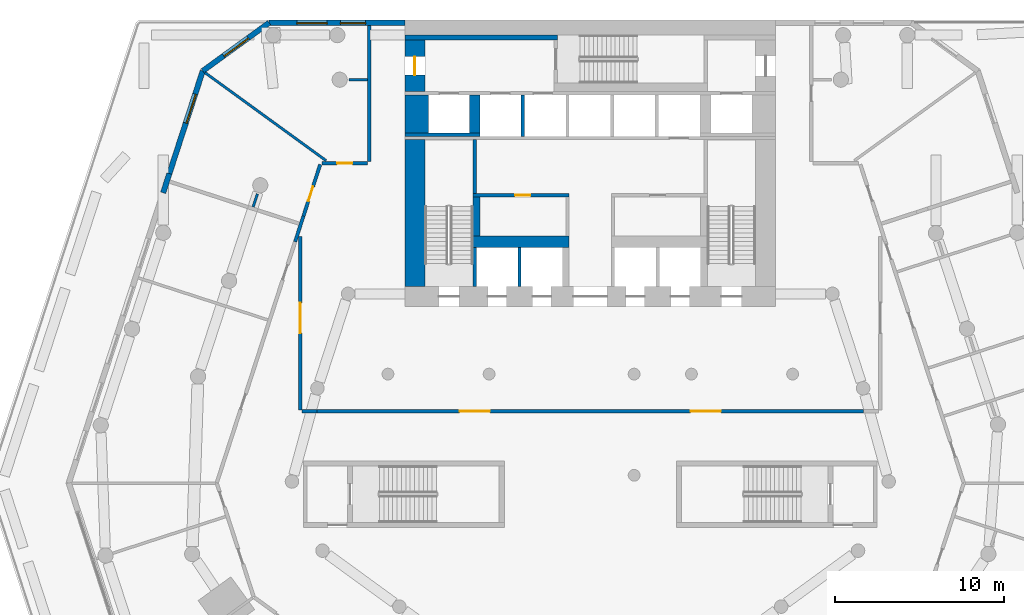
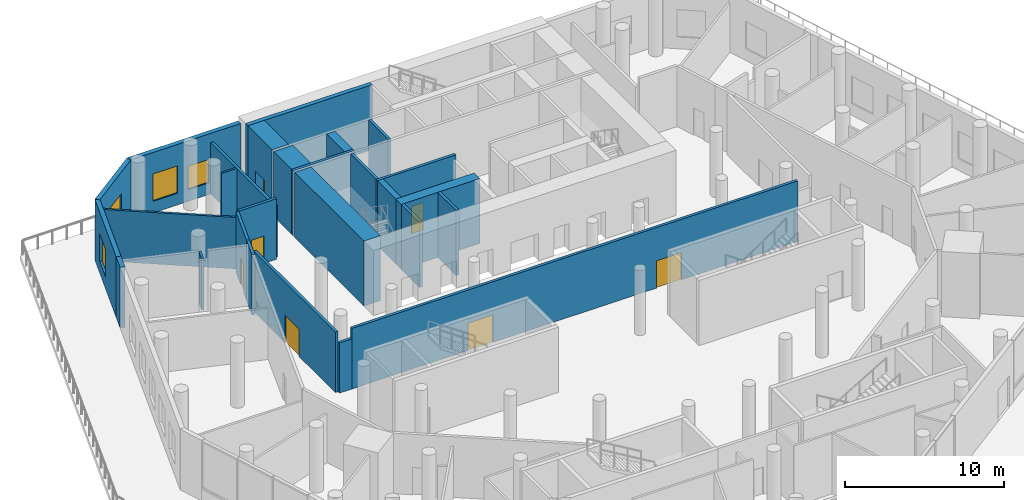
# One storey, part 11 of 19: 27 walls, 7 doors, 4 windows, 11 openings.
"""IFC4 building model written with IfcOpenShell, lengths in metres."""

import ifcopenshell
import ifcopenshell.guid

model = None  # the IFC model being written
_history = None  # IfcOwnerHistory: only IFC2X3 demands one
_inside = {}  # id of a spatial element -> (the spatial element, [elements in it])
_under = {}  # id of a project, library or spatial element -> (it, [spatial elements below it])
_declared = {}  # id of a project -> (the project, [libraries it declares])
_typed = {}  # id of a type object -> (the type object, [elements of that type])
_made_of = {}  # id of a material, layer set ... -> (it, [elements and type objects made of it])


def new_model(schema):
    """Start an empty IFC model of exactly this schema.

    Asked for "IFC4X3", IfcOpenShell would pick the latest addendum, in which some entities
    have other attributes; the version numbers below select the first issue.
    IFC2X3 requires an IfcOwnerHistory on every rooted entity: one is made here for all.
    """
    global model, _history
    if schema == "IFC4X3":
        model = ifcopenshell.file(schema_version=(4, 3, 0, 0))
    else:
        model = ifcopenshell.file(schema=schema)
    _inside.clear()
    _under.clear()
    _declared.clear()
    _typed.clear()
    _made_of.clear()
    _history = None
    if model.schema == "IFC2X3":
        org = make("IfcOrganization", Name="unknown")
        user = make(
            "IfcPersonAndOrganization",
            ThePerson=make("IfcPerson", FamilyName="unknown"),
            TheOrganization=org,
        )
        app = make(
            "IfcApplication",
            ApplicationDeveloper=org,
            Version="unknown",
            ApplicationFullName="unknown",
            ApplicationIdentifier="unknown",
        )
        _history = make(
            "IfcOwnerHistory",
            OwningUser=user,
            OwningApplication=app,
            ChangeAction="ADDED",
            CreationDate=0,
        )
    return model


def make(cls, **values):
    """One entity of the class cls with the attributes given. An attribute that is None is left unset."""
    return model.create_entity(
        cls, **{name: value for name, value in values.items() if value is not None}
    )


def rooted(cls, **values):
    """An entity with a GlobalId (a new one), such as an element, a storey or a relation."""
    return make(cls, GlobalId=ifcopenshell.guid.new(), OwnerHistory=_history, **values)


def si_unit(unit_type, name, prefix=None):
    """IfcSIUnit, for example si_unit("LENGTHUNIT", "METRE", prefix="MILLI")."""
    return make("IfcSIUnit", UnitType=unit_type, Prefix=prefix, Name=name)


def assignment(units):
    """IfcUnitAssignment: the units of a project."""
    return None if units is None else make("IfcUnitAssignment", Units=units)


def point(xyz):
    """IfcCartesianPoint."""
    return None if xyz is None else make("IfcCartesianPoint", Coordinates=xyz)


def direction(xyz):
    """IfcDirection."""
    return None if xyz is None else make("IfcDirection", DirectionRatios=xyz)


def frame(location, z_axis=None, x_axis=None):
    """IfcAxis2Placement3D, a coordinate frame: its origin and axes. An axis left out is left unset."""
    return make(
        "IfcAxis2Placement3D",
        Location=point(location),
        Axis=direction(z_axis),
        RefDirection=direction(x_axis),
    )


def frame_2d(location, x_axis=None):
    """IfcAxis2Placement2D, a coordinate frame in the plane: its origin and x axis."""
    return make(
        "IfcAxis2Placement2D", Location=point(location), RefDirection=direction(x_axis)
    )


def origin():
    """The frame at (0, 0, 0) with its axes left unset."""
    return frame((0.0, 0.0, 0.0))


def place(relative_to, where):
    """IfcLocalPlacement: puts the frame where relative to a parent placement (None: the world)."""
    return make(
        "IfcLocalPlacement", PlacementRelTo=relative_to, RelativePlacement=where
    )


def context(
    kind, dimensions, precision=None, world=None, true_north=None, identifier=None
):
    """IfcGeometricRepresentationContext, for example the 3D "Model" context."""
    return make(
        "IfcGeometricRepresentationContext",
        ContextIdentifier=identifier,
        ContextType=kind,
        CoordinateSpaceDimension=dimensions,
        Precision=precision,
        WorldCoordinateSystem=world,
        TrueNorth=true_north,
    )


def subcontext(parent, identifier, kind, view, scale=None):
    """IfcGeometricRepresentationSubContext, for example "Body" below "Model"."""
    return make(
        "IfcGeometricRepresentationSubContext",
        ContextIdentifier=identifier,
        ContextType=kind,
        ParentContext=parent,
        TargetScale=scale,
        TargetView=view,
    )


def project(units=None, contexts=None):
    """IfcProject with its units and contexts."""
    return rooted(
        "IfcProject",
        Name="project",
        RepresentationContexts=contexts,
        UnitsInContext=assignment(units),
    )


def spatial(cls, under=None, at=None, **own):
    """A site, building, storey or space (cls), placed at a placement, below another one or the project."""
    s = rooted(cls, ObjectPlacement=at, **own)
    if under is not None:
        _under.setdefault(under.id(), (under, []))[1].append(s)
    return s


def profile(cls, at=None, kind="AREA", **sizes):
    """A parametric profile (cls). Its sizes go by their IFC names, for example OverallWidth=200.0."""
    return make(cls, ProfileType=kind, Position=at, **sizes)


def rectangle(**sizes):
    """IfcRectangleProfileDef."""
    return profile("IfcRectangleProfileDef", **sizes)


def extrude(swept, where, along, depth):
    """IfcExtrudedAreaSolid: the profile swept, set in the frame where, extruded along a direction by depth."""
    return make(
        "IfcExtrudedAreaSolid",
        SweptArea=swept,
        Position=where,
        ExtrudedDirection=direction(along),
        Depth=depth,
    )


def shape(context_of_items, identifier, shape_type, items):
    """IfcShapeRepresentation: the items that make up one representation, for example the "Body"."""
    return make(
        "IfcShapeRepresentation",
        ContextOfItems=context_of_items,
        RepresentationIdentifier=identifier,
        RepresentationType=shape_type,
        Items=items,
    )


def material(Name=None, Category=None):
    """IfcMaterial."""
    return make("IfcMaterial", Name=Name, Category=Category)


def layer(
    of_material, thickness, ventilated=None, Name=None, Category=None, Priority=None
):
    """IfcMaterialLayer: one layer of a wall or slab, of a material (None: an air gap)."""
    return make(
        "IfcMaterialLayer",
        Material=of_material,
        LayerThickness=thickness,
        IsVentilated=ventilated,
        Name=Name,
        Category=Category,
        Priority=Priority,
    )


def layer_set(layers, Name=None):
    """IfcMaterialLayerSet."""
    return make("IfcMaterialLayerSet", MaterialLayers=layers, LayerSetName=Name)


def made_of(thing, what):
    """Note that an element or type object is made of a material, layer set ...; save() writes the relation."""
    if what is not None:
        _made_of.setdefault(what.id(), (what, []))[1].append(thing)
    return thing


def type_object(cls, material=None, **own):
    """A type object (cls), such as IfcWallType, which elements share."""
    return made_of(rooted(cls, **own), material)


def element(
    cls,
    number,
    at=None,
    inside=None,
    cuts=None,
    type_object=None,
    material=None,
    context=None,
    identifier="Body",
    shape_type=None,
    held_by="IfcProductDefinitionShape",
    body=None,
    shapes=None,
    **own,
):
    """One element of the class cls, such as IfcWall. Its Tag is "e" and its number.

    at: its placement. inside: the storey or other place that contains it. cuts: it is an
    opening in that element (IfcRelVoidsElement). A single representation is given by context,
    identifier, shape_type and body (its items); several are given by shapes. held_by: the class
    of the entity that holds the representations. save() writes the other relations.
    """
    e = rooted(cls, Tag="e%d" % number, ObjectPlacement=at, **own)
    if body is not None:
        shapes = [shape(context, identifier, shape_type, body)]
    if shapes is not None:
        e.Representation = make(held_by, Representations=shapes)
    if inside is not None:
        _inside.setdefault(inside.id(), (inside, []))[1].append(e)
    if cuts is not None:
        rooted(
            "IfcRelVoidsElement", RelatingBuildingElement=cuts, RelatedOpeningElement=e
        )
    if type_object is not None:
        _typed.setdefault(type_object.id(), (type_object, []))[1].append(e)
    return made_of(e, material)


def fill(opening, filler):
    """IfcRelFillsElement: the door or window that sits in an opening."""
    return rooted(
        "IfcRelFillsElement",
        RelatingOpeningElement=opening,
        RelatedBuildingElement=filler,
    )


def aggregate(whole, parts):
    """IfcRelAggregates: a whole, such as a stair, and the parts it consists of."""
    return rooted("IfcRelAggregates", RelatingObject=whole, RelatedObjects=parts)


def save(model, path):
    """Write the relations noted so far, then the file.

    IfcRelAggregates (storeys below a building ...), IfcRelContainedInSpatialStructure (elements
    in a storey), IfcRelDefinesByType, IfcRelAssociatesMaterial and IfcRelDeclares: one each for
    every whole, place, type object, material and project.
    """
    for whole, parts in _under.values():
        aggregate(whole, parts)
    for where, things in _inside.values():
        rooted(
            "IfcRelContainedInSpatialStructure",
            RelatedElements=things,
            RelatingStructure=where,
        )
    for kind, things in _typed.values():
        rooted("IfcRelDefinesByType", RelatedObjects=things, RelatingType=kind)
    for what, things in _made_of.values():
        rooted("IfcRelAssociatesMaterial", RelatedObjects=things, RelatingMaterial=what)
    for by, libraries in _declared.values():
        rooted("IfcRelDeclares", RelatingContext=by, RelatedDefinitions=libraries)
    model.write(path)


model = new_model("IFC4")

# Units and contexts
model_context = context("Model", 3, precision=1e-05, world=origin(), true_north=direction((0.0, 1.0)))
body_context = subcontext(model_context, "Body", "Model", "MODEL_VIEW")
ifc_project = project(units=[si_unit("LENGTHUNIT", "METRE"), si_unit("AREAUNIT", "SQUARE_METRE"), si_unit("VOLUMEUNIT", "CUBIC_METRE"), si_unit("PLANEANGLEUNIT", "RADIAN"), si_unit("MASSUNIT", "GRAM", prefix="KILO")], contexts=[model_context])

# Site, building, storey
site_placement = place(None, origin())
site = spatial("IfcSite", under=ifc_project, at=site_placement, CompositionType="ELEMENT")
building_placement = place(site_placement, origin())
building = spatial("IfcBuilding", under=site, at=building_placement, Name="White Candle Pilgrim Tower", CompositionType="ELEMENT")
storey_placement = place(building_placement, frame((0.0, 0.0, 29.0)))
storey = spatial("IfcBuildingStorey", under=building, at=storey_placement, Name="L04", CompositionType="ELEMENT", Elevation=29.0)

# Wall
ifc_material_1 = material(Name="Autoclaved aerated block D500, plastered")
ifc_layer_1 = layer(ifc_material_1, 0.199951171875)
ifc_layer_set_1 = layer_set([ifc_layer_1], Name="Compartment wall 200 mm REI 240")
wall_type_1 = type_object("IfcWallType", Name="Compartment wall 200 mm REI 240", PredefinedType="PARTITIONING", material=ifc_layer_set_1)
wall_1_placement = place(storey_placement, frame((52.49560546875, 74.84814453125, 0.0), z_axis=(0.0, 0.0, 1.0), x_axis=(0.308958737343, 0.95107544318, 0.0)))
element("IfcWall", 1, at=wall_1_placement, inside=storey, type_object=wall_type_1, Name="WL-L04-P054", PredefinedType="PARTITIONING", context=body_context, shape_type="SweptSolid", body=[
    extrude(rectangle(XDim=1.60400390625, YDim=0.199951171875, at=frame_2d((0.802001953125, 0.0))), origin(), (0.0, 0.0, 1.0), 4.64990234375),
])

# Wall, openings, doors
wall_2_placement = place(storey_placement, frame((86.199951171875, 64.800048828125, 0.0), z_axis=(0.0, 0.0, 1.0), x_axis=(-1.0, 0.0, 0.0)))
wall_2 = element("IfcWall", 2, at=wall_2_placement, inside=storey, type_object=wall_type_1, Name="WL-L04-P033a", PredefinedType="PARTITIONING", context=body_context, shape_type="SweptSolid", body=[
    extrude(rectangle(XDim=32.39990234375, YDim=0.199951171875, at=frame_2d((16.199951171875, 0.0))), origin(), (0.0, 0.0, 1.0), 4.64990234375),
])
opening_1_placement = place(wall_2_placement, frame((8.449951171875, 0.0, 0.0)))
opening_1 = element("IfcOpeningElement", 3, at=opening_1_placement, cuts=wall_2, Name="Opening L04-118", PredefinedType="OPENING", context=body_context, shape_type="SweptSolid", body=[
    extrude(rectangle(XDim=1.800048828125, YDim=2.10009765625, at=frame_2d((0.89990234375, 1.050048828125))), frame((0.0, 0.10986328125, 0.0), z_axis=(0.0, -1.0, 0.0), x_axis=(1.0, 0.0, 0.0)), (0.0, 0.0, 1.0), 0.219970703125),
])
opening_2_placement = place(wall_2_placement, frame((22.14990234375, 0.0, 0.0)))
opening_2 = element("IfcOpeningElement", 4, at=opening_2_placement, cuts=wall_2, Name="Opening L04-119", PredefinedType="OPENING", context=body_context, shape_type="SweptSolid", body=[
    extrude(rectangle(XDim=1.800048828125, YDim=2.10009765625, at=frame_2d((0.89990234375, 1.050048828125))), frame((0.0, 0.10986328125, 0.0), z_axis=(0.0, -1.0, 0.0), x_axis=(1.0, 0.0, 0.0)), (0.0, 0.0, 1.0), 0.219970703125),
])
ifc_material_2 = material(Name="Steel door leaf", Category="steel")
door_type_1 = type_object("IfcDoorType", Name="Compartment door 1800 x 2100 EI 60", OperationType="NOTDEFINED", PredefinedType="DOOR", material=ifc_material_2)
door_1_placement = place(opening_1_placement, origin())
door_1 = element("IfcDoor", 5, at=door_1_placement, inside=storey, type_object=door_type_1, Name="Door L04-118", OperationType="DOUBLE_DOOR_SINGLE_SWING", OverallHeight=2.10009765625, OverallWidth=1.800048828125, PredefinedType="DOOR", context=body_context, shape_type="SweptSolid", body=[
    extrude(rectangle(XDim=1.800048828125, YDim=2.10009765625, at=frame_2d((0.89990234375, 1.050048828125))), frame((0.0, 0.02490234375, 0.0), z_axis=(0.0, -1.0, 0.0), x_axis=(1.0, 0.0, 0.0)), (0.0, 0.0, 1.0), 0.050048828125),
])
fill(opening_1, door_1)
door_2_placement = place(opening_2_placement, origin())
door_2 = element("IfcDoor", 6, at=door_2_placement, inside=storey, type_object=door_type_1, Name="Door L04-119", OperationType="DOUBLE_DOOR_SINGLE_SWING", OverallHeight=2.10009765625, OverallWidth=1.800048828125, PredefinedType="DOOR", context=body_context, shape_type="SweptSolid", body=[
    extrude(rectangle(XDim=1.800048828125, YDim=2.10009765625, at=frame_2d((0.89990234375, 1.050048828125))), frame((0.0, 0.02490234375, 0.0), z_axis=(0.0, -1.0, 0.0), x_axis=(1.0, 0.0, 0.0)), (0.0, 0.0, 1.0), 0.050048828125),
])
fill(opening_2, door_2)

# Wall
wall_3_placement = place(storey_placement, frame((53.800048828125, 64.800048828125, 0.0), z_axis=(0.0, 0.0, 1.0), x_axis=(-1.0, 0.0, 0.0)))
element("IfcWall", 7, at=wall_3_placement, inside=storey, type_object=wall_type_1, Name="WL-L04-P033b", PredefinedType="PARTITIONING", context=body_context, shape_type="SweptSolid", body=[
    extrude(rectangle(XDim=0.900146484375, YDim=0.199951171875, at=frame_2d((0.4501953125, 0.0))), origin(), (0.0, 0.0, 1.0), 3.85009765625),
])

# Wall, opening, door
wall_4_placement = place(storey_placement, frame((52.800048828125, 64.875, 0.0), z_axis=(0.0, 0.0, 1.0), x_axis=(0.0, 1.0, 0.0)))
wall_4 = element("IfcWall", 8, at=wall_4_placement, inside=storey, type_object=wall_type_1, Name="WL-L04-P034", PredefinedType="PARTITIONING", context=body_context, shape_type="SweptSolid", body=[
    extrude(rectangle(XDim=10.2802734375, YDim=0.199951171875, at=frame_2d((5.14013671875, 0.0))), origin(), (0.0, 0.0, 1.0), 4.64990234375),
])
opening_3_placement = place(wall_4_placement, frame((4.55517578125, 0.0, 0.0)))
opening_3 = element("IfcOpeningElement", 9, at=opening_3_placement, cuts=wall_4, Name="Opening L04-120", PredefinedType="OPENING", context=body_context, shape_type="SweptSolid", body=[
    extrude(rectangle(XDim=1.800048828125, YDim=2.10009765625, at=frame_2d((0.89990234375, 1.050048828125))), frame((0.0, 0.10986328125, 0.0), z_axis=(0.0, -1.0, 0.0), x_axis=(1.0, 0.0, 0.0)), (0.0, 0.0, 1.0), 0.219970703125),
])
door_3_placement = place(opening_3_placement, origin())
door_3 = element("IfcDoor", 10, at=door_3_placement, inside=storey, type_object=door_type_1, Name="Door L04-120", OperationType="DOUBLE_DOOR_SINGLE_SWING", OverallHeight=2.10009765625, OverallWidth=1.800048828125, PredefinedType="DOOR", context=body_context, shape_type="SweptSolid", body=[
    extrude(rectangle(XDim=1.800048828125, YDim=2.10009765625, at=frame_2d((0.89990234375, 1.050048828125))), frame((0.0, 0.02490234375, 0.0), z_axis=(0.0, -1.0, 0.0), x_axis=(1.0, 0.0, 0.0)), (0.0, 0.0, 1.0), 0.050048828125),
])
fill(opening_3, door_3)

ifc_material_3 = material(Name="Concrete C70/85", Category="concrete")
ifc_layer_2 = layer(ifc_material_3, 1.199951171875)
ifc_layer_set_2 = layer_set([ifc_layer_2], Name="Core wall 1200 mm Concrete C70/85")
wall_type_2 = type_object("IfcWallType", Name="Core wall 1200 mm Concrete C70/85", PredefinedType="SHEAR", material=ifc_layer_set_2)
wall_5_placement = place(storey_placement, frame((59.60009765625, 83.75, 0.0), z_axis=(0.0, 0.0, 1.0), x_axis=(0.0, 1.0, 0.0)))
wall_5 = element("IfcWall", 11, at=wall_5_placement, inside=storey, type_object=wall_type_2, Name="WL-L04-C52", PredefinedType="SHEAR", context=body_context, shape_type="SweptSolid", body=[
    extrude(rectangle(XDim=3.050048828125, YDim=1.199951171875, at=frame_2d((1.52490234375, 0.0))), origin(), (0.0, 0.0, 1.0), 5.0),
])
opening_4_placement = place(wall_5_placement, frame((0.97509765625, 0.0, 0.0)))
opening_4 = element("IfcOpeningElement", 12, at=opening_4_placement, cuts=wall_5, Name="Opening L04-005", PredefinedType="OPENING", context=body_context, shape_type="SweptSolid", body=[
    extrude(rectangle(XDim=1.10009765625, YDim=2.10009765625, at=frame_2d((0.550048828125, 1.050048828125))), frame((0.0, 0.60986328125, 0.0), z_axis=(0.0, -1.0, 0.0), x_axis=(1.0, 0.0, 0.0)), (0.0, 0.0, 1.0), 1.219970703125),
])
door_type_2 = type_object("IfcDoorType", Name="Fire door 1100 x 2100 EI 60", OperationType="NOTDEFINED", PredefinedType="DOOR", material=ifc_material_2)
door_4_placement = place(opening_4_placement, origin())
door_4 = element("IfcDoor", 13, at=door_4_placement, inside=storey, type_object=door_type_2, Name="Door L04-005", OperationType="SINGLE_SWING_LEFT", OverallHeight=2.10009765625, OverallWidth=1.10009765625, PredefinedType="DOOR", context=body_context, shape_type="SweptSolid", body=[
    extrude(rectangle(XDim=1.10009765625, YDim=2.10009765625, at=frame_2d((0.550048828125, 1.050048828125))), frame((0.0, 0.02490234375, 0.0), z_axis=(0.0, -1.0, 0.0), x_axis=(1.0, 0.0, 0.0)), (0.0, 0.0, 1.0), 0.050048828125),
])
fill(opening_4, door_4)

# Walls
ifc_layer_3 = layer(ifc_material_3, 1.39990234375)
ifc_layer_set_3 = layer_set([ifc_layer_3], Name="Core wall 1400 mm Concrete C70/85")
wall_type_3 = type_object("IfcWallType", Name="Core wall 1400 mm Concrete C70/85", PredefinedType="SHEAR", material=ifc_layer_set_3)
wall_6_placement = place(storey_placement, frame((59.699951171875, 81.300048828125, 0.0), z_axis=(0.0, 0.0, 1.0), x_axis=(0.0, 1.0, 0.0)))
element("IfcWall", 14, at=wall_6_placement, inside=storey, type_object=wall_type_3, Name="WL-L04-C47", PredefinedType="SHEAR", context=body_context, shape_type="SweptSolid", body=[
    extrude(rectangle(XDim=2.25, YDim=1.39990234375, at=frame_2d((1.125, 0.0))), origin(), (0.0, 0.0, 1.0), 5.0),
])
ifc_layer_4 = layer(ifc_material_3, 0.199951171875)
ifc_layer_set_4 = layer_set([ifc_layer_4], Name="Core wall 200 mm Concrete C70/85")
wall_type_4 = type_object("IfcWallType", Name="Core wall 200 mm Concrete C70/85", PredefinedType="SHEAR", material=ifc_layer_set_4)
wall_7_placement = place(storey_placement, frame((59.0, 81.199951171875, 0.0), z_axis=(0.0, 0.0, 1.0), x_axis=(1.0, 0.0, 0.0)))
element("IfcWall", 15, at=wall_7_placement, inside=storey, type_object=wall_type_4, Name="WL-L04-C41", PredefinedType="SHEAR", context=body_context, shape_type="SweptSolid", body=[
    extrude(rectangle(XDim=4.449951171875, YDim=0.199951171875, at=frame_2d((2.22509765625, 0.0))), origin(), (0.0, 0.0, 1.0), 5.0),
])

# Wall, opening, door
ifc_material_4 = material(Name="Gypsum board on steel studs", Category="steel")
ifc_layer_5 = layer(ifc_material_4, 0.199951171875)
ifc_layer_set_5 = layer_set([ifc_layer_5], Name="Corridor wall 200 mm EI 45")
wall_type_5 = type_object("IfcWallType", Name="Corridor wall 200 mm EI 45", PredefinedType="PARTITIONING", material=ifc_layer_set_5)
wall_8_placement = place(storey_placement, frame((52.9912109375, 76.373779296875, 0.0), z_axis=(0.0, 0.0, 1.0), x_axis=(0.309041420656, 0.951048579369, 0.0)))
wall_8 = element("IfcWall", 16, at=wall_8_placement, inside=storey, type_object=wall_type_5, Name="WL-L04-P055", PredefinedType="PARTITIONING", context=body_context, shape_type="SweptSolid", body=[
    extrude(rectangle(XDim=3.214599609375, YDim=0.199951171875, at=frame_2d((1.607421875, 0.0))), origin(), (0.0, 0.0, 1.0), 4.64990234375),
])
opening_5_placement = place(wall_8_placement, frame((0.9375, 0.0, 0.0)))
opening_5 = element("IfcOpeningElement", 17, at=opening_5_placement, cuts=wall_8, Name="Opening L04-101", PredefinedType="OPENING", context=body_context, shape_type="SweptSolid", body=[
    extrude(rectangle(XDim=0.89990234375, YDim=2.10009765625, at=frame_2d((0.449951171875, 1.050048828125))), frame((0.0, 0.10986328125, 0.0), z_axis=(0.0, -1.0, 0.0), x_axis=(1.0, 0.0, 0.0)), (0.0, 0.0, 1.0), 0.219970703125),
])
door_type_3 = type_object("IfcDoorType", Name="Fire door 900 x 2100 EI 30", OperationType="NOTDEFINED", PredefinedType="DOOR", material=ifc_material_2)
door_5_placement = place(opening_5_placement, origin())
door_5 = element("IfcDoor", 18, at=door_5_placement, inside=storey, type_object=door_type_3, Name="Door L04-101", OperationType="SINGLE_SWING_LEFT", OverallHeight=2.10009765625, OverallWidth=0.89990234375, PredefinedType="DOOR", context=body_context, shape_type="SweptSolid", body=[
    extrude(rectangle(XDim=0.89990234375, YDim=2.10009765625, at=frame_2d((0.449951171875, 1.050048828125))), frame((0.0, 0.02490234375, 0.0), z_axis=(0.0, -1.0, 0.0), x_axis=(1.0, 0.0, 0.0)), (0.0, 0.0, 1.0), 0.050048828125),
])
fill(opening_5, door_5)

wall_9_placement = place(storey_placement, frame((54.07958984375, 79.5, 0.0), z_axis=(0.0, 0.0, 1.0), x_axis=(1.0, 0.0, 0.0)))
wall_9 = element("IfcWall", 19, at=wall_9_placement, inside=storey, type_object=wall_type_5, Name="WL-L04-P004", PredefinedType="PARTITIONING", context=body_context, shape_type="SweptSolid", body=[
    extrude(rectangle(XDim=2.720458984375, YDim=0.199951171875, at=frame_2d((1.3603515625, 0.0))), origin(), (0.0, 0.0, 1.0), 4.64990234375),
])
opening_6_placement = place(wall_9_placement, frame((0.91015625, 0.0, 0.0)))
opening_6 = element("IfcOpeningElement", 20, at=opening_6_placement, cuts=wall_9, Name="Opening L04-122", PredefinedType="OPENING", context=body_context, shape_type="SweptSolid", body=[
    extrude(rectangle(XDim=0.89990234375, YDim=2.10009765625, at=frame_2d((0.449951171875, 1.050048828125))), frame((0.0, 0.10986328125, 0.0), z_axis=(0.0, -1.0, 0.0), x_axis=(1.0, 0.0, 0.0)), (0.0, 0.0, 1.0), 0.219970703125),
])
door_6_placement = place(opening_6_placement, origin())
door_6 = element("IfcDoor", 21, at=door_6_placement, inside=storey, type_object=door_type_3, Name="Door L04-122", OperationType="SINGLE_SWING_RIGHT", OverallHeight=2.10009765625, OverallWidth=0.89990234375, PredefinedType="DOOR", context=body_context, shape_type="SweptSolid", body=[
    extrude(rectangle(XDim=0.89990234375, YDim=2.10009765625, at=frame_2d((0.449951171875, 1.050048828125))), frame((0.0, 0.02490234375, 0.0), z_axis=(0.0, -1.0, 0.0), x_axis=(1.0, 0.0, 0.0)), (0.0, 0.0, 1.0), 0.050048828125),
])
fill(opening_6, door_6)

# Wall
wall_10_placement = place(storey_placement, frame((56.89990234375, 79.60009765625, 0.0), z_axis=(0.0, 0.0, 1.0), x_axis=(0.0, 1.0, 0.0)))
element("IfcWall", 22, at=wall_10_placement, inside=storey, type_object=wall_type_5, Name="WL-L04-P005", PredefinedType="PARTITIONING", context=body_context, shape_type="SweptSolid", body=[
    extrude(rectangle(XDim=8.079833984375, YDim=0.199951171875, at=frame_2d((4.0400390625, 0.0))), origin(), (0.0, 0.0, 1.0), 3.949951171875),
])

# Wall, openings, windows
ifc_material_5 = material(Name="Precast concrete C40/50", Category="concrete")
ifc_layer_6 = layer(ifc_material_5, 0.320068359375)
ifc_layer_set_6 = layer_set([ifc_layer_6], Name="Facade wall EW3 precast concrete C40/50 and stone-faced podium wall")
wall_type_6 = type_object("IfcWallType", Name="Facade wall EW3 precast concrete C40/50 and stone-faced podium wall", PredefinedType="SOLIDWALL", material=ifc_layer_set_6)
wall_11_placement = place(storey_placement, frame((59.0, 87.840087890625, 0.0), z_axis=(0.0, 0.0, 1.0), x_axis=(-1.0, 0.0, 0.0)))
wall_11 = element("IfcWall", 23, at=wall_11_placement, inside=storey, type_object=wall_type_6, Name="Facade wall L04 N", PredefinedType="SOLIDWALL", context=body_context, shape_type="SweptSolid", body=[
    extrude(rectangle(XDim=8.040771484375, YDim=0.320068359375, at=frame_2d((4.0205078125, 0.0))), origin(), (0.0, 0.0, 1.0), 4.64990234375),
])
opening_7_placement = place(wall_11_placement, frame((2.324951171875, 0.0, 0.89990234375)))
opening_7 = element("IfcOpeningElement", 24, at=opening_7_placement, cuts=wall_11, Name="Opening W1", PredefinedType="OPENING", context=body_context, shape_type="SweptSolid", body=[
    extrude(rectangle(XDim=1.5, YDim=1.800048828125, at=frame_2d((0.75, 0.89990234375))), frame((0.0, 0.169921875, 0.0), z_axis=(0.0, -1.0, 0.0), x_axis=(1.0, 0.0, 0.0)), (0.0, 0.0, 1.0), 0.340087890625),
])
opening_8_placement = place(wall_11_placement, frame((4.60009765625, 0.0, 0.89990234375)))
opening_8 = element("IfcOpeningElement", 25, at=opening_8_placement, cuts=wall_11, Name="Opening W8", PredefinedType="OPENING", context=body_context, shape_type="SweptSolid", body=[
    extrude(rectangle(XDim=1.800048828125, YDim=2.10009765625, at=frame_2d((0.89990234375, 1.050048828125))), frame((0.0, 0.169921875, 0.0), z_axis=(0.0, -1.0, 0.0), x_axis=(1.0, 0.0, 0.0)), (0.0, 0.0, 1.0), 0.340087890625),
])
ifc_material_6 = material(Name="Timber frame with triple glazing", Category="wood")
window_type_1 = type_object("IfcWindowType", Name="Window W1 1500x1800 timber frame triple glazing", PartitioningType="SINGLE_PANEL", PredefinedType="WINDOW", material=ifc_material_6)
window_1_placement = place(opening_7_placement, origin())
window_1 = element("IfcWindow", 26, at=window_1_placement, inside=storey, type_object=window_type_1, Name="Window W1 L04 N 11", OverallHeight=1.800048828125, OverallWidth=1.5, PartitioningType="SINGLE_PANEL", PredefinedType="WINDOW", context=body_context, shape_type="SweptSolid", body=[
    extrude(rectangle(XDim=1.5, YDim=1.800048828125, at=frame_2d((0.75, 0.89990234375))), frame((0.0, 0.070068359375, 0.0), z_axis=(0.0, -1.0, 0.0), x_axis=(1.0, 0.0, 0.0)), (0.0, 0.0, 1.0), 0.06005859375),
])
fill(opening_7, window_1)
window_type_2 = type_object("IfcWindowType", Name="Window W8 1800x2100 timber frame triple glazing", PartitioningType="SINGLE_PANEL", PredefinedType="WINDOW", material=ifc_material_6)
window_2_placement = place(opening_8_placement, origin())
window_2 = element("IfcWindow", 27, at=window_2_placement, inside=storey, type_object=window_type_2, Name="Window W8 L04 N 12", OverallHeight=2.10009765625, OverallWidth=1.800048828125, PartitioningType="SINGLE_PANEL", PredefinedType="WINDOW", context=body_context, shape_type="SweptSolid", body=[
    extrude(rectangle(XDim=1.800048828125, YDim=2.10009765625, at=frame_2d((0.89990234375, 1.050048828125))), frame((0.0, 0.070068359375, 0.0), z_axis=(0.0, -1.0, 0.0), x_axis=(1.0, 0.0, 0.0)), (0.0, 0.0, 1.0), 0.06005859375),
])
fill(opening_8, window_2)

# Wall, opening, window
wall_12_placement = place(storey_placement, frame((50.959228515625, 87.840087890625, 0.0), z_axis=(0.0, 0.0, 1.0), x_axis=(-0.809004657531, -0.587802232127, 0.0)))
wall_12 = element("IfcWall", 28, at=wall_12_placement, inside=storey, type_object=wall_type_6, Name="Facade wall L04 NW chamfer", PredefinedType="SOLIDWALL", context=body_context, shape_type="SweptSolid", body=[
    extrude(rectangle(XDim=4.872802734375, YDim=0.320068359375, at=frame_2d((2.4365234375, 0.0))), origin(), (0.0, 0.0, 1.0), 4.64990234375),
])
opening_9_placement = place(wall_12_placement, frame((1.536376953125, 0.0, 0.89990234375)))
opening_9 = element("IfcOpeningElement", 29, at=opening_9_placement, cuts=wall_12, Name="Opening W8", PredefinedType="OPENING", context=body_context, shape_type="SweptSolid", body=[
    extrude(rectangle(XDim=1.800048828125, YDim=2.10009765625, at=frame_2d((0.89990234375, 1.050048828125))), frame((0.0, 0.169921875, 0.0), z_axis=(0.0, -1.0, 0.0), x_axis=(1.0, 0.0, 0.0)), (0.0, 0.0, 1.0), 0.340087890625),
])
window_3_placement = place(opening_9_placement, origin())
window_3 = element("IfcWindow", 30, at=window_3_placement, inside=storey, type_object=window_type_2, Name="Window W8 L04 NW chamfer 1", OverallHeight=2.10009765625, OverallWidth=1.800048828125, PartitioningType="SINGLE_PANEL", PredefinedType="WINDOW", context=body_context, shape_type="SweptSolid", body=[
    extrude(rectangle(XDim=1.800048828125, YDim=2.10009765625, at=frame_2d((0.89990234375, 1.050048828125))), frame((0.0, 0.070068359375, 0.0), z_axis=(0.0, -1.0, 0.0), x_axis=(1.0, 0.0, 0.0)), (0.0, 0.0, 1.0), 0.06005859375),
])
fill(opening_9, window_3)

wall_13_placement = place(storey_placement, frame((47.01708984375, 84.975830078125, 0.0), z_axis=(0.0, 0.0, 1.0), x_axis=(-0.309028251378, -0.9510528586, 0.0)))
wall_13 = element("IfcWall", 31, at=wall_13_placement, inside=storey, type_object=wall_type_6, Name="Facade wall L04 WNW", PredefinedType="SOLIDWALL", context=body_context, shape_type="SweptSolid", body=[
    extrude(rectangle(XDim=6.396728515625, YDim=0.320068359375, at=frame_2d((3.1982421875, 0.0))), origin(), (0.0, 0.0, 1.0), 4.64990234375),
])
opening_10_placement = place(wall_13_placement, frame((1.447265625, 0.0, 0.89990234375)))
opening_10 = element("IfcOpeningElement", 32, at=opening_10_placement, cuts=wall_13, Name="Opening W8", PredefinedType="OPENING", context=body_context, shape_type="SweptSolid", body=[
    extrude(rectangle(XDim=1.800048828125, YDim=2.10009765625, at=frame_2d((0.89990234375, 1.050048828125))), frame((0.0, 0.169921875, 0.0), z_axis=(0.0, -1.0, 0.0), x_axis=(1.0, 0.0, 0.0)), (0.0, 0.0, 1.0), 0.340087890625),
])
window_4_placement = place(opening_10_placement, origin())
window_4 = element("IfcWindow", 33, at=window_4_placement, inside=storey, type_object=window_type_2, Name="Window W8 L04 WNW 1", OverallHeight=2.10009765625, OverallWidth=1.800048828125, PartitioningType="SINGLE_PANEL", PredefinedType="WINDOW", context=body_context, shape_type="SweptSolid", body=[
    extrude(rectangle(XDim=1.800048828125, YDim=2.10009765625, at=frame_2d((0.89990234375, 1.050048828125))), frame((0.0, 0.070068359375, 0.0), z_axis=(0.0, -1.0, 0.0), x_axis=(1.0, 0.0, 0.0)), (0.0, 0.0, 1.0), 0.06005859375),
])
fill(opening_10, window_4)

# Walls
ifc_layer_7 = layer(ifc_material_5, 0.320068359375)
ifc_layer_set_7 = layer_set([ifc_layer_7], Name="Facade wall EW9 precast concrete C40/50 compartment junction wall EI 120")
wall_type_7 = type_object("IfcWallType", Name="Facade wall EW9 precast concrete C40/50 compartment junction wall EI 120", PredefinedType="SOLIDWALL", material=ifc_layer_set_7)
wall_14_placement = place(storey_placement, frame((45.040283203125, 78.89208984375, 0.0), z_axis=(0.0, 0.0, 1.0), x_axis=(-0.309017071679, -0.951056491178, 0.0)))
element("IfcWall", 34, at=wall_14_placement, inside=storey, type_object=wall_type_7, Name="Facade wall L04 WNW", PredefinedType="SOLIDWALL", context=body_context, shape_type="SweptSolid", body=[
    extrude(rectangle(XDim=1.2001953125, YDim=0.320068359375, at=frame_2d((0.60009765625, 0.0))), origin(), (0.0, 0.0, 1.0), 4.64990234375),
])
ifc_layer_8 = layer(ifc_material_4, 0.14990234375)
ifc_layer_set_8 = layer_set([ifc_layer_8], Name="Partition 150 mm EI 60")
wall_type_8 = type_object("IfcWallType", Name="Partition 150 mm EI 60", PredefinedType="PARTITIONING", material=ifc_layer_set_8)
wall_15_placement = place(storey_placement, frame((47.1533203125, 84.876953125, 0.0), z_axis=(0.0, 0.0, 1.0), x_axis=(0.809019122312, -0.587782323427, 0.0)))
element("IfcWall", 35, at=wall_15_placement, inside=storey, type_object=wall_type_8, Name="WL-L04-P012", PredefinedType="PARTITIONING", context=body_context, shape_type="SweptSolid", body=[
    extrude(rectangle(XDim=8.87451171875, YDim=0.14990234375, at=frame_2d((4.437255859375, 0.0))), origin(), (0.0, 0.0, 1.0), 3.949951171875),
])
wall_16_placement = place(storey_placement, frame((55.679931640625, 84.46240234375, 0.0), z_axis=(0.0, 0.0, 1.0), x_axis=(1.0, 0.0, 0.0)))
element("IfcWall", 36, at=wall_16_placement, inside=storey, type_object=wall_type_8, Name="WL-L04-P041", PredefinedType="PARTITIONING", context=body_context, shape_type="SweptSolid", body=[
    extrude(rectangle(XDim=1.1201171875, YDim=0.14990234375, at=frame_2d((0.56005859375, 0.0))), origin(), (0.0, 0.0, 1.0), 3.949951171875),
])
wall_17_placement = place(storey_placement, frame((50.2587890625, 77.68798828125, 0.0), z_axis=(0.0, 0.0, 1.0), x_axis=(-0.309052312813, -0.951045039914, 0.0)))
element("IfcWall", 37, at=wall_17_placement, inside=storey, type_object=wall_type_8, Name="WL-L04-P042", PredefinedType="PARTITIONING", context=body_context, shape_type="SweptSolid", body=[
    extrude(rectangle(XDim=0.817626953125, YDim=0.14990234375, at=frame_2d((0.40869140625, 0.0))), origin(), (0.0, 0.0, 1.0), 3.949951171875),
])
ifc_layer_9 = layer(ifc_material_3, 0.199951171875)
ifc_layer_set_9 = layer_set([ifc_layer_9], Name="Shaft wall 200 mm Concrete C70/85")
wall_type_9 = type_object("IfcWallType", Name="Shaft wall 200 mm Concrete C70/85", PredefinedType="SHEAR", material=ifc_layer_set_9)
wall_18_placement = place(storey_placement, frame((65.800048828125, 72.199951171875, 0.0), z_axis=(0.0, 0.0, 1.0), x_axis=(0.0, 1.0, 0.0)))
element("IfcWall", 38, at=wall_18_placement, inside=storey, type_object=wall_type_9, Name="WL-L04-C24", PredefinedType="SHEAR", context=body_context, shape_type="SweptSolid", body=[
    extrude(rectangle(XDim=2.300048828125, YDim=0.199951171875, at=frame_2d((1.14990234375, 0.0))), origin(), (0.0, 0.0, 1.0), 5.0),
])
wall_19_placement = place(storey_placement, frame((66.0, 81.10009765625, 0.0), z_axis=(0.0, 0.0, 1.0), x_axis=(0.0, 1.0, 0.0)))
element("IfcWall", 39, at=wall_19_placement, inside=storey, type_object=wall_type_9, Name="WL-L04-C42", PredefinedType="SHEAR", context=body_context, shape_type="SweptSolid", body=[
    extrude(rectangle(XDim=2.449951171875, YDim=0.199951171875, at=frame_2d((1.22509765625, 0.0))), origin(), (0.0, 0.0, 1.0), 5.0),
])
ifc_layer_10 = layer(ifc_material_3, 0.60009765625)
ifc_layer_set_10 = layer_set([ifc_layer_10], Name="Shaft wall 600 mm Concrete C70/85")
wall_type_10 = type_object("IfcWallType", Name="Shaft wall 600 mm Concrete C70/85", PredefinedType="SHEAR", material=ifc_layer_set_10)
wall_20_placement = place(storey_placement, frame((63.14990234375, 81.300048828125, 0.0), z_axis=(0.0, 0.0, 1.0), x_axis=(0.0, 1.0, 0.0)))
element("IfcWall", 40, at=wall_20_placement, inside=storey, type_object=wall_type_10, Name="WL-L04-C48", PredefinedType="SHEAR", context=body_context, shape_type="SweptSolid", body=[
    extrude(rectangle(XDim=2.25, YDim=0.60009765625, at=frame_2d((1.125, 0.0))), origin(), (0.0, 0.0, 1.0), 5.0),
])
ifc_layer_11 = layer(ifc_material_3, 1.199951171875)
ifc_layer_set_11 = layer_set([ifc_layer_11], Name="Stair shaft wall 1200 mm Concrete C70/85")
wall_type_11 = type_object("IfcWallType", Name="Stair shaft wall 1200 mm Concrete C70/85", PredefinedType="SHEAR", material=ifc_layer_set_11)
wall_21_placement = place(storey_placement, frame((59.60009765625, 72.199951171875, 0.0), z_axis=(0.0, 0.0, 1.0), x_axis=(0.0, 1.0, 0.0)))
element("IfcWall", 41, at=wall_21_placement, inside=storey, type_object=wall_type_11, Name="WL-L04-C22", PredefinedType="SHEAR", context=body_context, shape_type="SweptSolid", body=[
    extrude(rectangle(XDim=8.699951171875, YDim=1.199951171875, at=frame_2d((4.35009765625, 0.0))), origin(), (0.0, 0.0, 1.0), 5.0),
])
ifc_layer_12 = layer(ifc_material_3, 0.199951171875)
ifc_layer_set_12 = layer_set([ifc_layer_12], Name="Stair shaft wall 200 mm Concrete C70/85")
wall_type_12 = type_object("IfcWallType", Name="Stair shaft wall 200 mm Concrete C70/85", PredefinedType="SHEAR", material=ifc_layer_set_12)
wall_22_placement = place(storey_placement, frame((63.14990234375, 72.199951171875, 0.0), z_axis=(0.0, 0.0, 1.0), x_axis=(0.0, 1.0, 0.0)))
element("IfcWall", 42, at=wall_22_placement, inside=storey, type_object=wall_type_12, Name="WL-L04-C23", PredefinedType="SHEAR", context=body_context, shape_type="SweptSolid", body=[
    extrude(rectangle(XDim=2.300048828125, YDim=0.199951171875, at=frame_2d((1.14990234375, 0.0))), origin(), (0.0, 0.0, 1.0), 5.0),
])

# Wall, opening, door
wall_23_placement = place(storey_placement, frame((63.050048828125, 77.60009765625, 0.0), z_axis=(0.0, 0.0, 1.0), x_axis=(1.0, 0.0, 0.0)))
wall_23 = element("IfcWall", 43, at=wall_23_placement, inside=storey, type_object=wall_type_12, Name="WL-L04-C36", PredefinedType="SHEAR", context=body_context, shape_type="SweptSolid", body=[
    extrude(rectangle(XDim=5.699951171875, YDim=0.199951171875, at=frame_2d((2.85009765625, 0.0))), origin(), (0.0, 0.0, 1.0), 5.0),
])
opening_11_placement = place(wall_23_placement, frame((2.5, 0.0, 0.0)))
opening_11 = element("IfcOpeningElement", 44, at=opening_11_placement, cuts=wall_23, Name="Opening L04-024", PredefinedType="OPENING", context=body_context, shape_type="SweptSolid", body=[
    extrude(rectangle(XDim=0.89990234375, YDim=2.10009765625, at=frame_2d((0.449951171875, 1.050048828125))), frame((0.0, 0.10986328125, 0.0), z_axis=(0.0, -1.0, 0.0), x_axis=(1.0, 0.0, 0.0)), (0.0, 0.0, 1.0), 0.219970703125),
])
door_7_placement = place(opening_11_placement, origin())
door_7 = element("IfcDoor", 45, at=door_7_placement, inside=storey, type_object=door_type_3, Name="Door L04-024", OperationType="SINGLE_SWING_RIGHT", OverallHeight=2.10009765625, OverallWidth=0.89990234375, PredefinedType="DOOR", context=body_context, shape_type="SweptSolid", body=[
    extrude(rectangle(XDim=0.89990234375, YDim=2.10009765625, at=frame_2d((0.449951171875, 1.050048828125))), frame((0.0, 0.02490234375, 0.0), z_axis=(0.0, -1.0, 0.0), x_axis=(1.0, 0.0, 0.0)), (0.0, 0.0, 1.0), 0.050048828125),
])
fill(opening_11, door_7)

# Walls
wall_24_placement = place(storey_placement, frame((63.14990234375, 77.699951171875, 0.0), z_axis=(0.0, 0.0, 1.0), x_axis=(0.0, 1.0, 0.0)))
element("IfcWall", 46, at=wall_24_placement, inside=storey, type_object=wall_type_12, Name="WL-L04-C38", PredefinedType="SHEAR", context=body_context, shape_type="SweptSolid", body=[
    extrude(rectangle(XDim=3.199951171875, YDim=0.199951171875, at=frame_2d((1.60009765625, 0.0))), origin(), (0.0, 0.0, 1.0), 5.0),
])
ifc_layer_13 = layer(ifc_material_3, 0.300048828125)
ifc_layer_set_13 = layer_set([ifc_layer_13], Name="Stair shaft wall 300 mm Concrete C70/85")
wall_type_13 = type_object("IfcWallType", Name="Stair shaft wall 300 mm Concrete C70/85", PredefinedType="SHEAR", material=ifc_layer_set_13)
wall_25_placement = place(storey_placement, frame((59.0, 86.949951171875, 0.0), z_axis=(0.0, 0.0, 1.0), x_axis=(1.0, 0.0, 0.0)))
element("IfcWall", 47, at=wall_25_placement, inside=storey, type_object=wall_type_13, Name="WL-L04-C57", PredefinedType="SHEAR", context=body_context, shape_type="SweptSolid", body=[
    extrude(rectangle(XDim=9.050048828125, YDim=0.300048828125, at=frame_2d((4.52490234375, 0.0))), origin(), (0.0, 0.0, 1.0), 5.0),
])
ifc_layer_14 = layer(ifc_material_3, 0.39990234375)
ifc_layer_set_14 = layer_set([ifc_layer_14], Name="Stair shaft wall 400 mm Concrete C70/85")
wall_type_14 = type_object("IfcWallType", Name="Stair shaft wall 400 mm Concrete C70/85", PredefinedType="SHEAR", material=ifc_layer_set_14)
wall_26_placement = place(storey_placement, frame((63.25, 75.199951171875, 0.0), z_axis=(0.0, 0.0, 1.0), x_axis=(0.0, 1.0, 0.0)))
element("IfcWall", 48, at=wall_26_placement, inside=storey, type_object=wall_type_14, Name="WL-L04-C32", PredefinedType="SHEAR", context=body_context, shape_type="SweptSolid", body=[
    extrude(rectangle(XDim=2.300048828125, YDim=0.39990234375, at=frame_2d((1.14990234375, 0.0))), origin(), (0.0, 0.0, 1.0), 5.0),
])
ifc_layer_15 = layer(ifc_material_3, 0.699951171875)
ifc_layer_set_15 = layer_set([ifc_layer_15], Name="Stair shaft wall 700 mm Concrete C70/85")
wall_type_15 = type_object("IfcWallType", Name="Stair shaft wall 700 mm Concrete C70/85", PredefinedType="SHEAR", material=ifc_layer_set_15)
wall_27_placement = place(storey_placement, frame((63.050048828125, 74.85009765625, 0.0), z_axis=(0.0, 0.0, 1.0), x_axis=(1.0, 0.0, 0.0)))
element("IfcWall", 49, at=wall_27_placement, inside=storey, type_object=wall_type_15, Name="WL-L04-C30", PredefinedType="SHEAR", context=body_context, shape_type="SweptSolid", body=[
    extrude(rectangle(XDim=5.699951171875, YDim=0.699951171875, at=frame_2d((2.85009765625, 0.0))), origin(), (0.0, 0.0, 1.0), 5.0),
])

save(model, "model.ifc")
